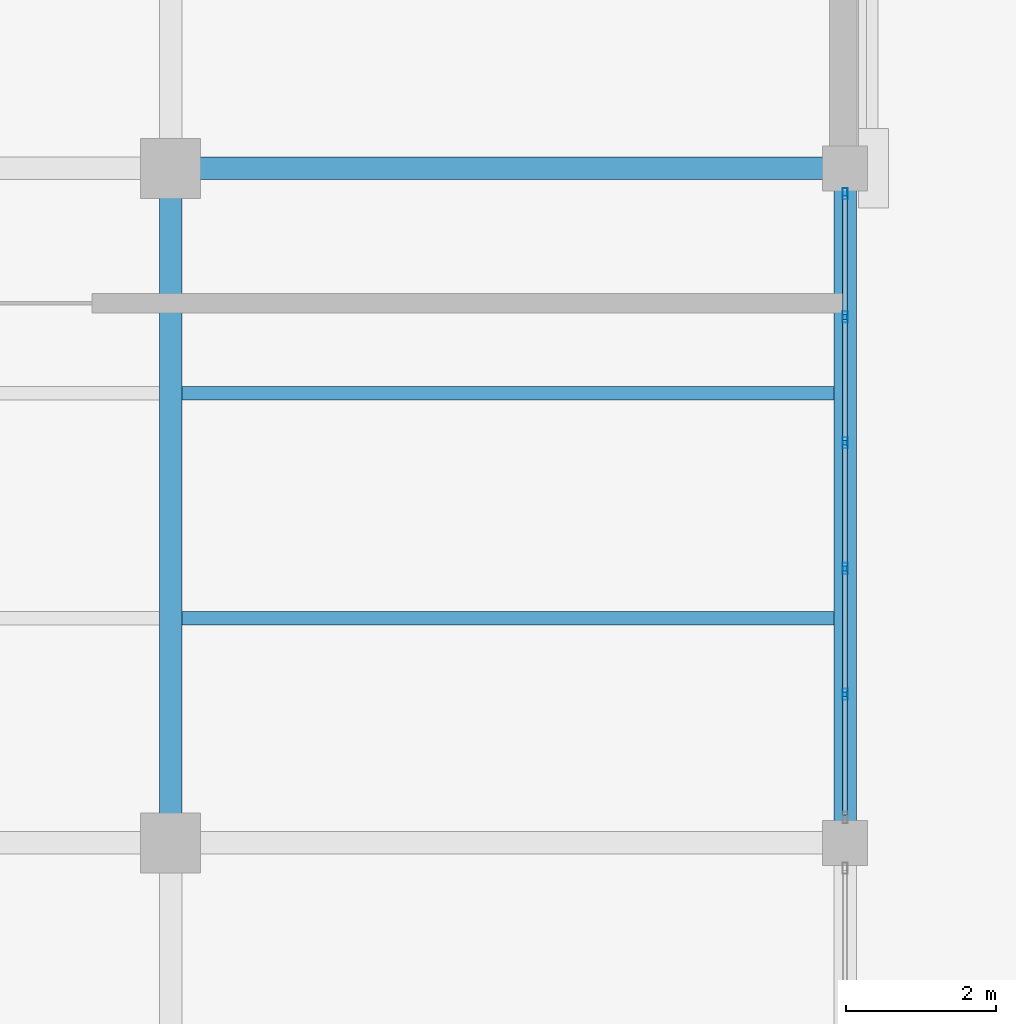
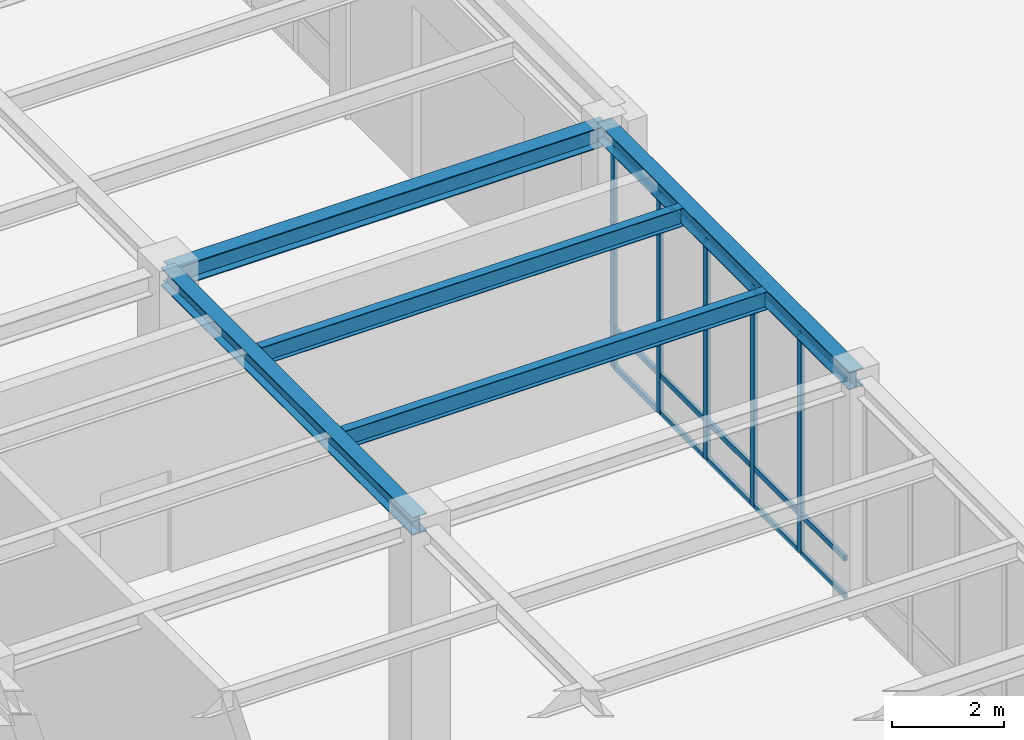
# One storey, part 43 of 77: 20 members, 5 beams, 1 element without a shape of its own.
"""IFC4 building model written with IfcOpenShell, lengths in metres."""

from ifc_helpers import new_model, si_unit, direction, frame, origin, origin_2d, place, context, subcontext, project, spatial, hollow_rectangle, i_section, extrude, material, material_profile, profile_set, type_object, element, aggregate, save


model = new_model("IFC4")

# Units and contexts
model_context = context("Model", 3, precision=1e-05, world=origin(), true_north=direction((0.0, 1.0)))
body_context = subcontext(model_context, "Body", "Model", "MODEL_VIEW")
ifc_project = project(units=[si_unit("LENGTHUNIT", "METRE"), si_unit("AREAUNIT", "SQUARE_METRE"), si_unit("VOLUMEUNIT", "CUBIC_METRE"), si_unit("PLANEANGLEUNIT", "RADIAN"), si_unit("MASSUNIT", "GRAM", prefix="KILO")], contexts=[model_context])

# Site, building, storey
site_placement = place(None, origin())
site = spatial("IfcSite", under=ifc_project, at=site_placement, CompositionType="ELEMENT")
building_placement = place(site_placement, origin())
building = spatial("IfcBuilding", under=site, at=building_placement, Name="Lykobir Media Centre", CompositionType="ELEMENT")
storey_placement = place(building_placement, origin())
storey = spatial("IfcBuildingStorey", under=building, at=storey_placement, Name="L00", CompositionType="ELEMENT", Elevation=0.0)

# Beams
ifc_material_1 = material(Name="Steel S355", Category="steel")
ifc_material_profile_1 = material_profile(ifc_material_1, i_section(OverallWidth=0.300048828125, OverallDepth=0.389892578125, WebThickness=0.010986328125, FlangeThickness=0.01904296875, at=origin_2d()), Name="HEA 400")
ifc_profile_set_1 = profile_set([ifc_material_profile_1], Name="Steel S355")
beam_type_1 = type_object("IfcBeamType", Name="BM-HEA400", PredefinedType="BEAM", material=ifc_profile_set_1)
for number, where, z_axis, x_axis, name in (
    (1, (99.0, 45.0, 4.965087890625), (0.0, 1.0, 0.0), (-1.0, 0.0, 0.0), "Beam BM-L00-0990-0450-0990-0540-496"),
    (2, (108.0, 45.0, 4.985107421875), (0.0, 1.0, 0.0), (-1.0, 0.0, 0.0), "Beam BM-L00-1080-0450-1080-0540-499"),
):
    element("IfcBeam", number, at=place(storey_placement, frame(where, z_axis=z_axis, x_axis=x_axis)), inside=storey, type_object=beam_type_1, Name=name, PredefinedType="BEAM", context=body_context, shape_type="SweptSolid", body=[
        extrude(i_section(OverallWidth=0.300048828125, OverallDepth=0.389892578125, WebThickness=0.010986328125, FlangeThickness=0.01904296875, at=origin_2d()), origin(), (0.0, 0.0, 1.0), 9.0),
    ])
ifc_material_profile_2 = material_profile(ifc_material_1, i_section(OverallWidth=0.300048828125, OverallDepth=0.43994140625, WebThickness=0.011474609375, FlangeThickness=0.02099609375, at=origin_2d()), Name="HEA 450")
ifc_profile_set_2 = profile_set([ifc_material_profile_2], Name="Steel S355")
beam_type_2 = type_object("IfcBeamType", Name="BM-HEA450", PredefinedType="BEAM", material=ifc_profile_set_2)
beam_placement = place(storey_placement, frame((99.0, 54.0, 4.93798828125), z_axis=(1.0, 0.0, 0.0), x_axis=(0.0, 1.0, 0.0)))
element("IfcBeam", 3, at=beam_placement, inside=storey, type_object=beam_type_2, Name="Beam BM-L00-0990-0540-1080-0540-496", PredefinedType="BEAM", context=body_context, shape_type="SweptSolid", body=[
    extrude(i_section(OverallWidth=0.300048828125, OverallDepth=0.43994140625, WebThickness=0.011474609375, FlangeThickness=0.02099609375, at=origin_2d()), origin(), (0.0, 0.0, 1.0), 9.0),
])

# Curtain wall, members
ifc_material_2 = material(Name="Anodized Aluminium AW-6060", Category="aluminium")
curtain_wall_type = type_object("IfcCurtainWallType", Name="CW-COURT-A", PredefinedType="NOTDEFINED", material=ifc_material_2)
curtain_wall_placement = place(storey_placement, origin())
curtain_wall = element("IfcCurtainWall", 4, at=curtain_wall_placement, inside=storey, type_object=curtain_wall_type, Name="Curtain wall CW2-L00-0006", PredefinedType="NOTDEFINED")
ifc_material_profile_3 = material_profile(ifc_material_2, hollow_rectangle(XDim=0.06494140625, YDim=0.14990234375, WallThickness=0.00341796875, at=origin_2d()), Name="ALU MULLION 65x150")
ifc_profile_set_3 = profile_set([ifc_material_profile_3], Name="Anodized Aluminium AW-6060")
member_type_1 = type_object("IfcMemberType", Name="CWM-150", PredefinedType="MULLION", material=ifc_profile_set_3)
member_1_placement = place(storey_placement, frame((108.0, 53.66259765625, 0.0), z_axis=(0.0, 0.0, 1.0), x_axis=(1.0, 0.0, 0.0)))
member_1 = element("IfcMember", 5, at=member_1_placement, type_object=member_type_1, Name="CW2-L00-0006 mullion 1", PredefinedType="MULLION", context=body_context, shape_type="SweptSolid", body=[
    extrude(hollow_rectangle(XDim=0.06494140625, YDim=0.14990234375, WallThickness=0.00341796875, at=origin_2d()), origin(), (0.0, 0.0, 1.0), 4.77490234375),
])
member_2_placement = place(storey_placement, frame((108.0, 52.01708984375, 0.0), z_axis=(0.0, 0.0, 1.0), x_axis=(1.0, 0.0, 0.0)))
member_2 = element("IfcMember", 6, at=member_2_placement, type_object=member_type_1, Name="CW2-L00-0006 mullion 2", PredefinedType="MULLION", context=body_context, shape_type="SweptSolid", body=[
    extrude(hollow_rectangle(XDim=0.06494140625, YDim=0.14990234375, WallThickness=0.00341796875, at=origin_2d()), origin(), (0.0, 0.0, 1.0), 4.77490234375),
])
member_3_placement = place(storey_placement, frame((108.0, 50.339111328125, 0.0), z_axis=(0.0, 0.0, 1.0), x_axis=(1.0, 0.0, 0.0)))
member_3 = element("IfcMember", 7, at=member_3_placement, type_object=member_type_1, Name="CW2-L00-0006 mullion 3", PredefinedType="MULLION", context=body_context, shape_type="SweptSolid", body=[
    extrude(hollow_rectangle(XDim=0.06494140625, YDim=0.14990234375, WallThickness=0.00341796875, at=origin_2d()), origin(), (0.0, 0.0, 1.0), 4.77490234375),
])
member_4_placement = place(storey_placement, frame((108.0, 48.660888671875, 0.0), z_axis=(0.0, 0.0, 1.0), x_axis=(1.0, 0.0, 0.0)))
member_4 = element("IfcMember", 8, at=member_4_placement, type_object=member_type_1, Name="CW2-L00-0006 mullion 4", PredefinedType="MULLION", context=body_context, shape_type="SweptSolid", body=[
    extrude(hollow_rectangle(XDim=0.06494140625, YDim=0.14990234375, WallThickness=0.00341796875, at=origin_2d()), origin(), (0.0, 0.0, 1.0), 4.77490234375),
])
member_5_placement = place(storey_placement, frame((108.0, 46.98291015625, 0.0), z_axis=(0.0, 0.0, 1.0), x_axis=(1.0, 0.0, 0.0)))
member_5 = element("IfcMember", 9, at=member_5_placement, type_object=member_type_1, Name="CW2-L00-0006 mullion 5", PredefinedType="MULLION", context=body_context, shape_type="SweptSolid", body=[
    extrude(hollow_rectangle(XDim=0.06494140625, YDim=0.14990234375, WallThickness=0.00341796875, at=origin_2d()), origin(), (0.0, 0.0, 1.0), 4.77490234375),
])
ifc_material_profile_4 = material_profile(ifc_material_2, hollow_rectangle(XDim=0.06494140625, YDim=0.1201171875, WallThickness=0.0029296875, at=origin_2d()), Name="ALU TRANSOM 65x120")
ifc_profile_set_4 = profile_set([ifc_material_profile_4], Name="Anodized Aluminium AW-6060")
member_type_2 = type_object("IfcMemberType", Name="CWT-120", PredefinedType="USERDEFINED", material=ifc_profile_set_4)
member_6_placement = place(storey_placement, frame((108.0, 53.6298828125, 0.032470703125), z_axis=(0.0, -1.0, 0.0), x_axis=(1.0, 0.0, 0.0)))
member_6 = element("IfcMember", 10, at=member_6_placement, type_object=member_type_2, Name="CW2-L00-0006 transom 1.1", ObjectType="TRANSOM", PredefinedType="USERDEFINED", context=body_context, shape_type="SweptSolid", body=[
    extrude(hollow_rectangle(XDim=0.06494140625, YDim=0.1201171875, WallThickness=0.0029296875, at=origin_2d()), origin(), (0.0, 0.0, 1.0), 1.580322265625),
])
member_7_placement = place(storey_placement, frame((108.0, 53.6298828125, 0.85009765625), z_axis=(0.0, -1.0, 0.0), x_axis=(1.0, 0.0, 0.0)))
member_7 = element("IfcMember", 11, at=member_7_placement, type_object=member_type_2, Name="CW2-L00-0006 transom 1.2", ObjectType="TRANSOM", PredefinedType="USERDEFINED", context=body_context, shape_type="SweptSolid", body=[
    extrude(hollow_rectangle(XDim=0.06494140625, YDim=0.1201171875, WallThickness=0.0029296875, at=origin_2d()), origin(), (0.0, 0.0, 1.0), 1.580322265625),
])
member_8_placement = place(storey_placement, frame((108.0, 53.6298828125, 4.742431640625), z_axis=(0.0, -1.0, 0.0), x_axis=(1.0, 0.0, 0.0)))
member_8 = element("IfcMember", 12, at=member_8_placement, type_object=member_type_2, Name="CW2-L00-0006 transom 1.3", ObjectType="TRANSOM", PredefinedType="USERDEFINED", context=body_context, shape_type="SweptSolid", body=[
    extrude(hollow_rectangle(XDim=0.06494140625, YDim=0.1201171875, WallThickness=0.0029296875, at=origin_2d()), origin(), (0.0, 0.0, 1.0), 1.580322265625),
])
member_9_placement = place(storey_placement, frame((108.0, 51.984619140625, 0.032470703125), z_axis=(0.0, -1.0, 0.0), x_axis=(1.0, 0.0, 0.0)))
member_9 = element("IfcMember", 13, at=member_9_placement, type_object=member_type_2, Name="CW2-L00-0006 transom 2.1", ObjectType="TRANSOM", PredefinedType="USERDEFINED", context=body_context, shape_type="SweptSolid", body=[
    extrude(hollow_rectangle(XDim=0.06494140625, YDim=0.1201171875, WallThickness=0.0029296875, at=origin_2d()), origin(), (0.0, 0.0, 1.0), 1.613037109375),
])
member_10_placement = place(storey_placement, frame((108.0, 51.984619140625, 0.85009765625), z_axis=(0.0, -1.0, 0.0), x_axis=(1.0, 0.0, 0.0)))
member_10 = element("IfcMember", 14, at=member_10_placement, type_object=member_type_2, Name="CW2-L00-0006 transom 2.2", ObjectType="TRANSOM", PredefinedType="USERDEFINED", context=body_context, shape_type="SweptSolid", body=[
    extrude(hollow_rectangle(XDim=0.06494140625, YDim=0.1201171875, WallThickness=0.0029296875, at=origin_2d()), origin(), (0.0, 0.0, 1.0), 1.613037109375),
])
member_11_placement = place(storey_placement, frame((108.0, 51.984619140625, 4.742431640625), z_axis=(0.0, -1.0, 0.0), x_axis=(1.0, 0.0, 0.0)))
member_11 = element("IfcMember", 15, at=member_11_placement, type_object=member_type_2, Name="CW2-L00-0006 transom 2.3", ObjectType="TRANSOM", PredefinedType="USERDEFINED", context=body_context, shape_type="SweptSolid", body=[
    extrude(hollow_rectangle(XDim=0.06494140625, YDim=0.1201171875, WallThickness=0.0029296875, at=origin_2d()), origin(), (0.0, 0.0, 1.0), 1.613037109375),
])
member_12_placement = place(storey_placement, frame((108.0, 50.306396484375, 0.032470703125), z_axis=(0.0, -1.0, 0.0), x_axis=(1.0, 0.0, 0.0)))
member_12 = element("IfcMember", 16, at=member_12_placement, type_object=member_type_2, Name="CW2-L00-0006 transom 3.1", ObjectType="TRANSOM", PredefinedType="USERDEFINED", context=body_context, shape_type="SweptSolid", body=[
    extrude(hollow_rectangle(XDim=0.06494140625, YDim=0.1201171875, WallThickness=0.0029296875, at=origin_2d()), origin(), (0.0, 0.0, 1.0), 1.61279296875),
])
member_13_placement = place(storey_placement, frame((108.0, 50.306396484375, 0.85009765625), z_axis=(0.0, -1.0, 0.0), x_axis=(1.0, 0.0, 0.0)))
member_13 = element("IfcMember", 17, at=member_13_placement, type_object=member_type_2, Name="CW2-L00-0006 transom 3.2", ObjectType="TRANSOM", PredefinedType="USERDEFINED", context=body_context, shape_type="SweptSolid", body=[
    extrude(hollow_rectangle(XDim=0.06494140625, YDim=0.1201171875, WallThickness=0.0029296875, at=origin_2d()), origin(), (0.0, 0.0, 1.0), 1.61279296875),
])
member_14_placement = place(storey_placement, frame((108.0, 50.306396484375, 4.742431640625), z_axis=(0.0, -1.0, 0.0), x_axis=(1.0, 0.0, 0.0)))
member_14 = element("IfcMember", 18, at=member_14_placement, type_object=member_type_2, Name="CW2-L00-0006 transom 3.3", ObjectType="TRANSOM", PredefinedType="USERDEFINED", context=body_context, shape_type="SweptSolid", body=[
    extrude(hollow_rectangle(XDim=0.06494140625, YDim=0.1201171875, WallThickness=0.0029296875, at=origin_2d()), origin(), (0.0, 0.0, 1.0), 1.61279296875),
])
member_15_placement = place(storey_placement, frame((108.0, 48.62841796875, 0.032470703125), z_axis=(0.0, -1.0, 0.0), x_axis=(1.0, 0.0, 0.0)))
member_15 = element("IfcMember", 19, at=member_15_placement, type_object=member_type_2, Name="CW2-L00-0006 transom 4.1", ObjectType="TRANSOM", PredefinedType="USERDEFINED", context=body_context, shape_type="SweptSolid", body=[
    extrude(hollow_rectangle(XDim=0.06494140625, YDim=0.1201171875, WallThickness=0.0029296875, at=origin_2d()), origin(), (0.0, 0.0, 1.0), 1.613037109375),
])
member_16_placement = place(storey_placement, frame((108.0, 48.62841796875, 0.85009765625), z_axis=(0.0, -1.0, 0.0), x_axis=(1.0, 0.0, 0.0)))
member_16 = element("IfcMember", 20, at=member_16_placement, type_object=member_type_2, Name="CW2-L00-0006 transom 4.2", ObjectType="TRANSOM", PredefinedType="USERDEFINED", context=body_context, shape_type="SweptSolid", body=[
    extrude(hollow_rectangle(XDim=0.06494140625, YDim=0.1201171875, WallThickness=0.0029296875, at=origin_2d()), origin(), (0.0, 0.0, 1.0), 1.613037109375),
])
member_17_placement = place(storey_placement, frame((108.0, 48.62841796875, 4.742431640625), z_axis=(0.0, -1.0, 0.0), x_axis=(1.0, 0.0, 0.0)))
member_17 = element("IfcMember", 21, at=member_17_placement, type_object=member_type_2, Name="CW2-L00-0006 transom 4.3", ObjectType="TRANSOM", PredefinedType="USERDEFINED", context=body_context, shape_type="SweptSolid", body=[
    extrude(hollow_rectangle(XDim=0.06494140625, YDim=0.1201171875, WallThickness=0.0029296875, at=origin_2d()), origin(), (0.0, 0.0, 1.0), 1.613037109375),
])
member_18_placement = place(storey_placement, frame((108.0, 46.950439453125, 0.032470703125), z_axis=(0.0, -1.0, 0.0), x_axis=(1.0, 0.0, 0.0)))
member_18 = element("IfcMember", 22, at=member_18_placement, type_object=member_type_2, Name="CW2-L00-0006 transom 5.1", ObjectType="TRANSOM", PredefinedType="USERDEFINED", context=body_context, shape_type="SweptSolid", body=[
    extrude(hollow_rectangle(XDim=0.06494140625, YDim=0.1201171875, WallThickness=0.0029296875, at=origin_2d()), origin(), (0.0, 0.0, 1.0), 1.580322265625),
])
member_19_placement = place(storey_placement, frame((108.0, 46.950439453125, 0.85009765625), z_axis=(0.0, -1.0, 0.0), x_axis=(1.0, 0.0, 0.0)))
member_19 = element("IfcMember", 23, at=member_19_placement, type_object=member_type_2, Name="CW2-L00-0006 transom 5.2", ObjectType="TRANSOM", PredefinedType="USERDEFINED", context=body_context, shape_type="SweptSolid", body=[
    extrude(hollow_rectangle(XDim=0.06494140625, YDim=0.1201171875, WallThickness=0.0029296875, at=origin_2d()), origin(), (0.0, 0.0, 1.0), 1.580322265625),
])
member_20_placement = place(storey_placement, frame((108.0, 46.950439453125, 4.742431640625), z_axis=(0.0, -1.0, 0.0), x_axis=(1.0, 0.0, 0.0)))
member_20 = element("IfcMember", 24, at=member_20_placement, type_object=member_type_2, Name="CW2-L00-0006 transom 5.3", ObjectType="TRANSOM", PredefinedType="USERDEFINED", context=body_context, shape_type="SweptSolid", body=[
    extrude(hollow_rectangle(XDim=0.06494140625, YDim=0.1201171875, WallThickness=0.0029296875, at=origin_2d()), origin(), (0.0, 0.0, 1.0), 1.580322265625),
])
aggregate(curtain_wall, [member_1, member_2, member_3, member_4, member_5, member_6, member_7, member_8, member_9, member_10, member_11, member_12, member_13, member_14, member_15, member_16, member_17, member_18, member_19, member_20])

# Beams
ifc_material_profile_5 = material_profile(ifc_material_1, i_section(OverallWidth=0.179931640625, OverallDepth=0.39990234375, WebThickness=0.008544921875, FlangeThickness=0.013427734375, at=origin_2d()), Name="IPE 400")
ifc_profile_set_5 = profile_set([ifc_material_profile_5], Name="Steel S355")
beam_type_3 = type_object("IfcBeamType", Name="JS-IPE400", PredefinedType="JOIST", material=ifc_profile_set_5)
for number, where, z_axis, x_axis, name in (
    (25, (99.14990234375, 48.0, 4.97998046875), (1.0, 0.0, 0.0), (0.0, 1.0, 0.0), "Beam BM-L00-0992-0480-1078-0480-498"),
    (26, (99.14990234375, 51.0, 4.97998046875), (1.0, 0.0, 0.0), (0.0, 1.0, 0.0), "Beam BM-L00-0992-0510-1078-0510-498"),
):
    element("IfcBeam", number, at=place(storey_placement, frame(where, z_axis=z_axis, x_axis=x_axis)), inside=storey, type_object=beam_type_3, Name=name, PredefinedType="JOIST", context=body_context, shape_type="SweptSolid", body=[
        extrude(i_section(OverallWidth=0.179931640625, OverallDepth=0.39990234375, WebThickness=0.008544921875, FlangeThickness=0.013427734375, at=origin_2d()), origin(), (0.0, 0.0, 1.0), 8.7001953125),
    ])

save(model, "model.ifc")
